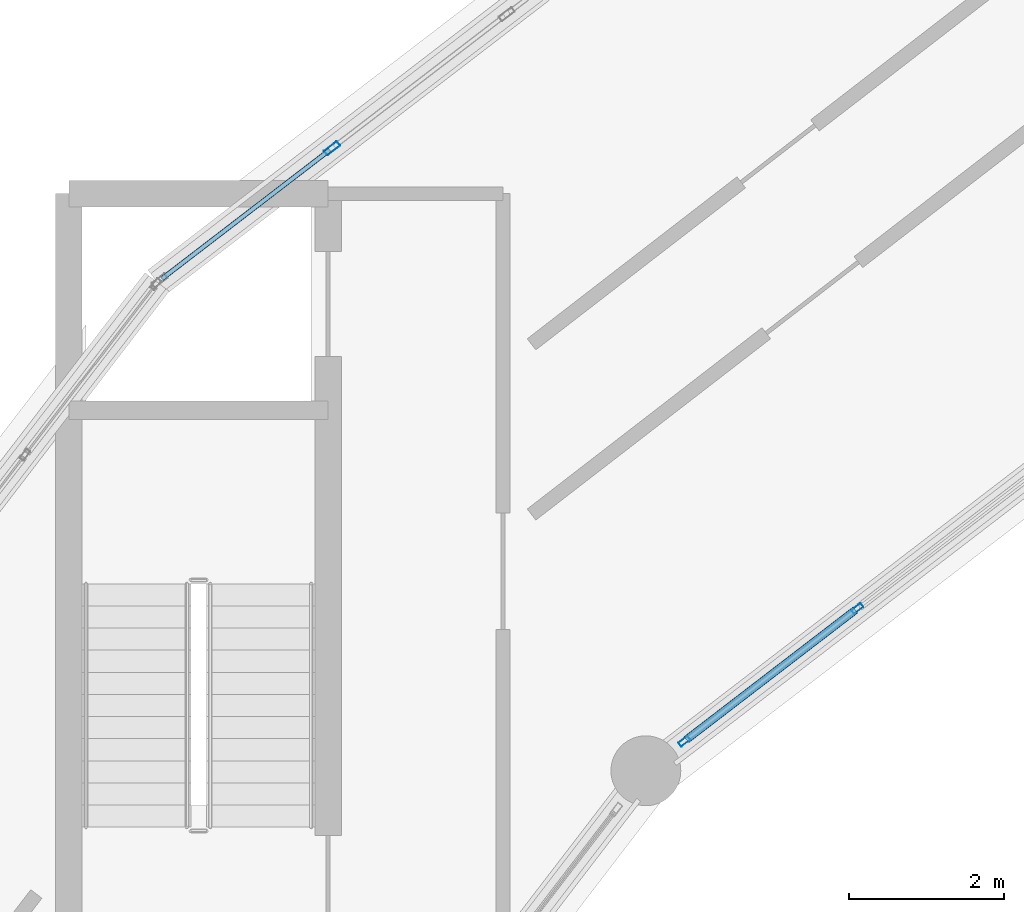
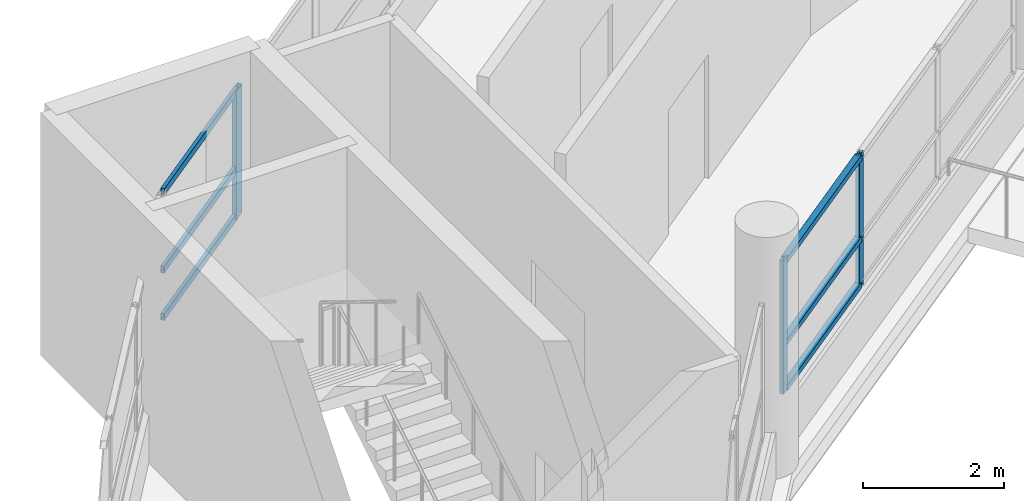
# One storey, part 53 of 128: 9 members, 2 elements without a shape of their own.
"""IFC4 building model written with IfcOpenShell, lengths in metres."""

from ifc_helpers import new_model, si_unit, direction, frame, origin, origin_2d, place, context, subcontext, project, spatial, hollow_rectangle, extrude, material, layer, layer_set, material_profile, profile_set, type_object, element, aggregate, save


model = new_model("IFC4")

# Units and contexts
model_context = context("Model", 3, precision=1e-05, world=origin(), true_north=direction((0.0, 1.0)))
body_context = subcontext(model_context, "Body", "Model", "MODEL_VIEW")
ifc_project = project(units=[si_unit("LENGTHUNIT", "METRE"), si_unit("AREAUNIT", "SQUARE_METRE"), si_unit("VOLUMEUNIT", "CUBIC_METRE"), si_unit("PLANEANGLEUNIT", "RADIAN"), si_unit("MASSUNIT", "GRAM", prefix="KILO")], contexts=[model_context])

# Site, building, storey
site_placement = place(None, origin())
site = spatial("IfcSite", under=ifc_project, at=site_placement, CompositionType="ELEMENT")
building_placement = place(site_placement, origin())
building = spatial("IfcBuilding", under=site, at=building_placement, Name="Vespera Passage Community Centre", CompositionType="ELEMENT")
storey_placement = place(building_placement, frame((0.0, 0.0, 4.5)))
storey = spatial("IfcBuildingStorey", under=building, at=storey_placement, Name="L01", CompositionType="ELEMENT", Elevation=4.5)

# Curtain wall, members
ifc_material_1 = material(Name="Anodized aluminium 6063-T6", Category="aluminium")
ifc_layer_1 = layer(ifc_material_1, 0.159912109375)
ifc_layer_set_1 = layer_set([ifc_layer_1], Name="Anodized aluminium 6063-T6")
curtain_wall_type_1 = type_object("IfcCurtainWallType", Name="CW-17E", PredefinedType="NOTDEFINED", material=ifc_layer_set_1)
curtain_wall_1_placement = place(storey_placement, origin())
curtain_wall_1 = element("IfcCurtainWall", 1, at=curtain_wall_1_placement, inside=storey, type_object=curtain_wall_type_1, Name="V4 L01 Inner Court Curtain Wall 8", PredefinedType="NOTDEFINED")
ifc_material_2 = material(Name="Anodized aluminium 6063-T6", Category="aluminium")
ifc_material_profile_1 = material_profile(ifc_material_2, hollow_rectangle(XDim=0.06494140625, YDim=0.14990234375, WallThickness=0.00390625, InnerFilletRadius=0.001953125, OuterFilletRadius=0.00390625, at=origin_2d()), Name="ALU150X65X4")
ifc_profile_set_1 = profile_set([ifc_material_profile_1], Name="Anodized aluminium 6063-T6")
member_type_1 = type_object("IfcMemberType", Name="MB-CWM-150E", PredefinedType="MULLION", material=ifc_profile_set_1)
member_1_placement = place(storey_placement, frame((54.420654296875, 93.895263671875, 0.820068359375), z_axis=(0.0, 0.0, 1.0), x_axis=(0.608755087843, -0.793358205999, 0.0)))
member_1 = element("IfcMember", 2, at=member_1_placement, type_object=member_type_1, Name="CW-17E mullion 3", PredefinedType="MULLION", context=body_context, shape_type="SweptSolid", body=[
    extrude(hollow_rectangle(XDim=0.06494140625, YDim=0.14990234375, WallThickness=0.00390625, InnerFilletRadius=0.001953125, OuterFilletRadius=0.00390625, at=origin_2d()), origin(), (0.0, 0.0, 1.0), 2.309326171875),
])
member_2_placement = place(storey_placement, frame((52.19189453125, 92.185302734375, 0.820068359375), z_axis=(0.0, 0.0, 1.0), x_axis=(0.608755087843, -0.793358205999, 0.0)))
member_2 = element("IfcMember", 3, at=member_2_placement, type_object=member_type_1, Name="CW-17E mullion 4", PredefinedType="MULLION", context=body_context, shape_type="SweptSolid", body=[
    extrude(hollow_rectangle(XDim=0.06494140625, YDim=0.14990234375, WallThickness=0.00390625, InnerFilletRadius=0.001953125, OuterFilletRadius=0.00390625, at=origin_2d()), origin(), (0.0, 0.0, 1.0), 2.309326171875),
])

# Curtain wall, member
ifc_material_3 = material(Name="Anodized aluminium 6063-T6", Category="aluminium")
ifc_layer_2 = layer(ifc_material_3, 0.159912109375)
ifc_layer_set_2 = layer_set([ifc_layer_2], Name="Anodized aluminium 6063-T6")
curtain_wall_type_2 = type_object("IfcCurtainWallType", Name="CW-16E", PredefinedType="NOTDEFINED", material=ifc_layer_set_2)
curtain_wall_2_placement = place(storey_placement, origin())
curtain_wall_2 = element("IfcCurtainWall", 4, at=curtain_wall_2_placement, inside=storey, type_object=curtain_wall_type_2, Name="V4 L01 Outer Ribbon Curtain Wall 8", PredefinedType="NOTDEFINED")
ifc_material_4 = material(Name="Anodized aluminium 6063-T6", Category="aluminium")
ifc_material_profile_2 = material_profile(ifc_material_4, hollow_rectangle(XDim=0.074951171875, YDim=0.2099609375, WallThickness=0.0048828125, InnerFilletRadius=0.00244140625, OuterFilletRadius=0.0048828125, at=origin_2d()), Name="ALU210X75X5")
ifc_profile_set_2 = profile_set([ifc_material_profile_2], Name="Anodized aluminium 6063-T6")
member_type_2 = type_object("IfcMemberType", Name="MB-CWM-210E", PredefinedType="MULLION", material=ifc_profile_set_2)
member_3_placement = place(storey_placement, frame((47.65283203125, 99.824462890625, 0.820068359375), z_axis=(0.0, 0.0, 1.0), x_axis=(-0.608768221519, 0.793348128169, 0.0)))
member_3 = element("IfcMember", 5, at=member_3_placement, type_object=member_type_2, Name="CW-16E mullion 2", PredefinedType="MULLION", context=body_context, shape_type="SweptSolid", body=[
    extrude(hollow_rectangle(XDim=0.074951171875, YDim=0.2099609375, WallThickness=0.0048828125, InnerFilletRadius=0.00244140625, OuterFilletRadius=0.0048828125, at=origin_2d()), origin(), (0.0, 0.0, 1.0), 2.2255859375),
])

# Member
ifc_material_5 = material(Name="Anodized aluminium 6063-T6", Category="aluminium")
ifc_material_profile_3 = material_profile(ifc_material_5, hollow_rectangle(XDim=0.10009765625, YDim=0.10009765625, WallThickness=0.00390625, InnerFilletRadius=0.001953125, OuterFilletRadius=0.00390625, at=origin_2d()), Name="ALU100X100X4")
ifc_profile_set_3 = profile_set([ifc_material_profile_3], Name="Anodized aluminium 6063-T6")
member_type_3 = type_object("IfcMemberType", Name="MB-CWT-100E", PredefinedType="USERDEFINED", material=ifc_profile_set_3)
member_4_placement = place(storey_placement, frame((54.394775390625, 93.87548828125, 0.8701171875), z_axis=(-0.793364286906, -0.608747162837, 0.0), x_axis=(0.608747162837, -0.793364286906, 0.0)))
member_4 = element("IfcMember", 6, at=member_4_placement, type_object=member_type_3, Name="CW-17E transom 3.1", ObjectType="TRANSOM", PredefinedType="USERDEFINED", context=body_context, shape_type="SweptSolid", body=[
    extrude(hollow_rectangle(XDim=0.10009765625, YDim=0.10009765625, WallThickness=0.00390625, InnerFilletRadius=0.001953125, OuterFilletRadius=0.00390625, at=origin_2d()), origin(), (0.0, 0.0, 1.0), 2.743896484375),
])

member_5_placement = place(storey_placement, frame((54.394775390625, 93.87548828125, 1.669921875), z_axis=(-0.793364286906, -0.608747162837, 0.0), x_axis=(0.608747162837, -0.793364286906, 0.0)))
member_5 = element("IfcMember", 7, at=member_5_placement, type_object=member_type_3, Name="CW-17E transom 3.2", ObjectType="TRANSOM", PredefinedType="USERDEFINED", context=body_context, shape_type="SweptSolid", body=[
    extrude(hollow_rectangle(XDim=0.10009765625, YDim=0.10009765625, WallThickness=0.00390625, InnerFilletRadius=0.001953125, OuterFilletRadius=0.00390625, at=origin_2d()), origin(), (0.0, 0.0, 1.0), 2.743896484375),
])

member_6_placement = place(storey_placement, frame((54.394775390625, 93.87548828125, 3.07958984375), z_axis=(-0.793364286906, -0.608747162837, 0.0), x_axis=(0.608747162837, -0.793364286906, 0.0)))
member_6 = element("IfcMember", 8, at=member_6_placement, type_object=member_type_3, Name="CW-17E transom 3.3", ObjectType="TRANSOM", PredefinedType="USERDEFINED", context=body_context, shape_type="SweptSolid", body=[
    extrude(hollow_rectangle(XDim=0.10009765625, YDim=0.10009765625, WallThickness=0.00390625, InnerFilletRadius=0.001953125, OuterFilletRadius=0.00390625, at=origin_2d()), origin(), (0.0, 0.0, 1.0), 2.743896484375),
])

aggregate(curtain_wall_1, [member_1, member_2, member_4, member_5, member_6])

ifc_material_6 = material(Name="Anodized aluminium 6063-T6", Category="aluminium")
ifc_material_profile_4 = material_profile(ifc_material_6, hollow_rectangle(XDim=0.06005859375, YDim=0.1201171875, WallThickness=0.00390625, InnerFilletRadius=0.001953125, OuterFilletRadius=0.00390625, at=origin_2d()), Name="ALU120X60X4")
ifc_profile_set_4 = profile_set([ifc_material_profile_4], Name="Anodized aluminium 6063-T6")
member_type_4 = type_object("IfcMemberType", Name="MB-CWT-120E", PredefinedType="USERDEFINED", material=ifc_profile_set_4)
member_7_placement = place(storey_placement, frame((45.4619140625, 98.143310546875, 0.85009765625), z_axis=(0.793326438597, 0.608796486375, 0.0), x_axis=(-0.608796486375, 0.793326438597, 0.0)))
member_7 = element("IfcMember", 9, at=member_7_placement, type_object=member_type_4, Name="CW-16E transom 1.1", ObjectType="TRANSOM", PredefinedType="USERDEFINED", context=body_context, shape_type="SweptSolid", body=[
    extrude(hollow_rectangle(XDim=0.06005859375, YDim=0.1201171875, WallThickness=0.00390625, InnerFilletRadius=0.001953125, OuterFilletRadius=0.00390625, at=origin_2d()), origin(), (0.0, 0.0, 1.0), 2.72412109375),
])

member_8_placement = place(storey_placement, frame((45.4619140625, 98.143310546875, 1.669921875), z_axis=(0.793326438597, 0.608796486375, 0.0), x_axis=(-0.608796486375, 0.793326438597, 0.0)))
member_8 = element("IfcMember", 10, at=member_8_placement, type_object=member_type_4, Name="CW-16E transom 1.2", ObjectType="TRANSOM", PredefinedType="USERDEFINED", context=body_context, shape_type="SweptSolid", body=[
    extrude(hollow_rectangle(XDim=0.06005859375, YDim=0.1201171875, WallThickness=0.00390625, InnerFilletRadius=0.001953125, OuterFilletRadius=0.00390625, at=origin_2d()), origin(), (0.0, 0.0, 1.0), 2.72412109375),
])

member_9_placement = place(storey_placement, frame((45.4619140625, 98.143310546875, 3.015625), z_axis=(0.793326438597, 0.608796486375, 0.0), x_axis=(-0.608796486375, 0.793326438597, 0.0)))
member_9 = element("IfcMember", 11, at=member_9_placement, type_object=member_type_4, Name="CW-16E transom 1.3", ObjectType="TRANSOM", PredefinedType="USERDEFINED", context=body_context, shape_type="SweptSolid", body=[
    extrude(hollow_rectangle(XDim=0.06005859375, YDim=0.1201171875, WallThickness=0.00390625, InnerFilletRadius=0.001953125, OuterFilletRadius=0.00390625, at=origin_2d()), origin(), (0.0, 0.0, 1.0), 2.72412109375),
])

aggregate(curtain_wall_2, [member_3, member_7, member_8, member_9])

save(model, "model.ifc")
